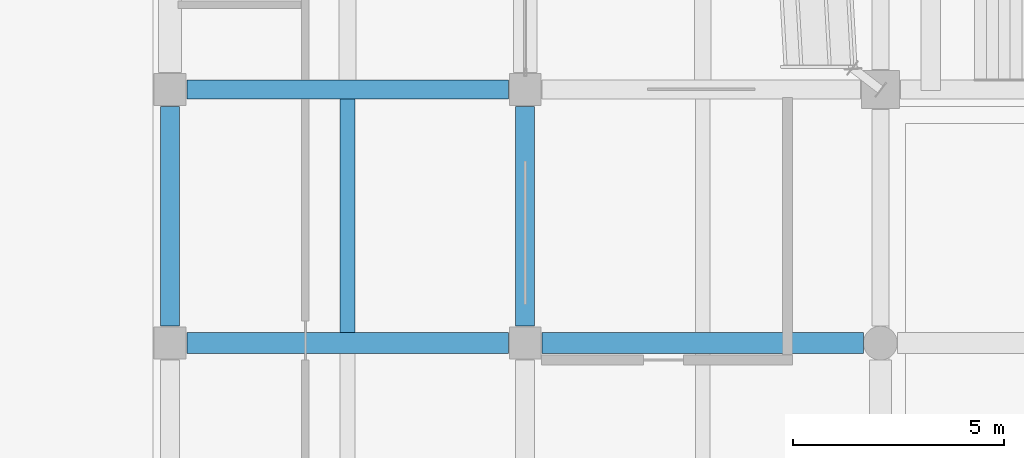
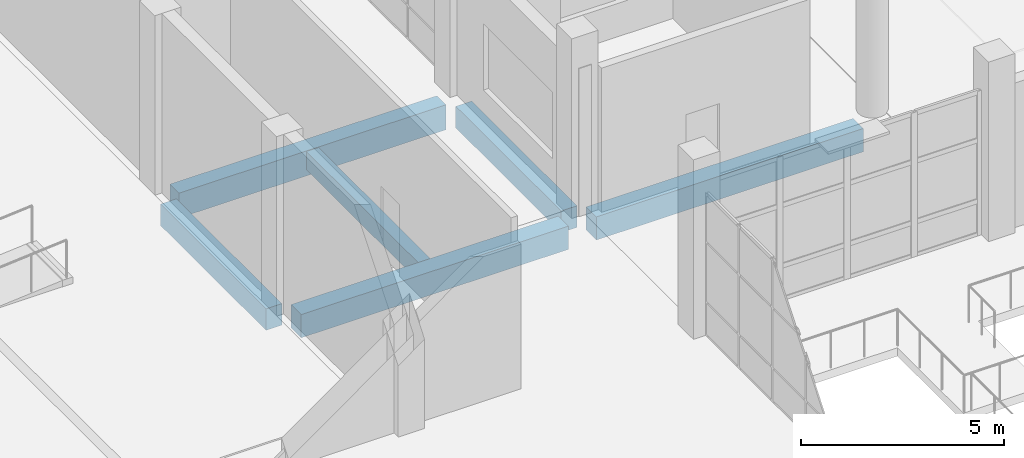
# One storey, part 12 of 78: 6 beams.
"""IFC4 building model written with IfcOpenShell, lengths in metres."""

from ifc_helpers import new_model, si_unit, direction, frame, origin, origin_2d, place, context, subcontext, project, spatial, rectangle, extrude, material, material_profile, profile_set, type_object, element, save


model = new_model("IFC4")

# Units and contexts
model_context = context("Model", 3, precision=1e-05, world=origin(), true_north=direction((0.0, 1.0)))
body_context = subcontext(model_context, "Body", "Model", "MODEL_VIEW")
ifc_project = project(units=[si_unit("LENGTHUNIT", "METRE"), si_unit("AREAUNIT", "SQUARE_METRE"), si_unit("VOLUMEUNIT", "CUBIC_METRE"), si_unit("PLANEANGLEUNIT", "RADIAN"), si_unit("MASSUNIT", "GRAM", prefix="KILO")], contexts=[model_context])

# Site, building, storey
site_placement = place(None, origin())
site = spatial("IfcSite", under=ifc_project, at=site_placement, CompositionType="ELEMENT")
building_placement = place(site_placement, origin())
building = spatial("IfcBuilding", under=site, at=building_placement, Name="Pellamere Symphony Hall", CompositionType="ELEMENT")
storey_placement = place(building_placement, origin())
storey = spatial("IfcBuildingStorey", under=building, at=storey_placement, Name="L00", CompositionType="ELEMENT", Elevation=0.0)

# Beams
ifc_material_1 = material(Name="Concrete 40 MPa", Category="concrete")
ifc_material_profile_1 = material_profile(ifc_material_1, rectangle(XDim=0.5, YDim=0.699951171875, at=origin_2d()), Name="RC 500x700")
ifc_profile_set_1 = profile_set([ifc_material_profile_1], Name="Concrete 40 MPa")
beam_type_1 = type_object("IfcBeamType", Name="RC CB-07 500x700", PredefinedType="BEAM", material=ifc_profile_set_1)
for number, where, z_axis, x_axis, name in (
    (1, (34.0, 24.0, -0.64990234375), (1.0, 0.0, 0.0), (0.0, 1.0, 0.0), "Girder CB-07-X0033 (L00)"),
    (2, (42.39990234375, 24.0, -0.64990234375), (1.0, 0.0, 0.0), (0.0, 1.0, 0.0), "Girder CB-07-X0034 (L00)"),
):
    element("IfcBeam", number, at=place(storey_placement, frame(where, z_axis=z_axis, x_axis=x_axis)), inside=storey, type_object=beam_type_1, Name=name, PredefinedType="BEAM", context=body_context, shape_type="SweptSolid", body=[
        extrude(rectangle(XDim=0.5, YDim=0.699951171875, at=origin_2d()), origin(), (0.0, 0.0, 1.0), 7.60009765625),
    ])
ifc_material_profile_2 = material_profile(ifc_material_1, rectangle(XDim=0.449951171875, YDim=0.64990234375, at=origin_2d()), Name="RC 450x650")
ifc_profile_set_2 = profile_set([ifc_material_profile_2], Name="Concrete 40 MPa")
beam_type_2 = type_object("IfcBeamType", Name="RC CB-08 450x650", PredefinedType="BEAM", material=ifc_profile_set_2)
for number, where, z_axis, x_axis, name in (
    (3, (33.60009765625, 24.39990234375, -0.625), (0.0, 1.0, 0.0), (-1.0, 0.0, 0.0), "Girder CB-08-Y0222 (L00)"),
    (4, (42.0, 24.39990234375, -0.625), (0.0, 1.0, 0.0), (-1.0, 0.0, 0.0), "Girder CB-08-Y0229 (L00)"),
):
    element("IfcBeam", number, at=place(storey_placement, frame(where, z_axis=z_axis, x_axis=x_axis)), inside=storey, type_object=beam_type_2, Name=name, PredefinedType="BEAM", context=body_context, shape_type="SweptSolid", body=[
        extrude(rectangle(XDim=0.449951171875, YDim=0.64990234375, at=origin_2d()), origin(), (0.0, 0.0, 1.0), 5.2001953125),
    ])
ifc_material_2 = material(Name="Concrete 35 MPa", Category="concrete")
ifc_material_profile_3 = material_profile(ifc_material_2, rectangle(XDim=0.35009765625, YDim=0.550048828125, at=origin_2d()), Name="RC 350x550")
ifc_profile_set_3 = profile_set([ifc_material_profile_3], Name="Concrete 35 MPa")
beam_type_3 = type_object("IfcBeamType", Name="RC CB-10 350x550", PredefinedType="BEAM", material=ifc_profile_set_3)
beam_1_placement = place(storey_placement, frame((37.800048828125, 24.25, -0.590087890625), z_axis=(0.0, 1.0, 0.0), x_axis=(-1.0, 0.0, 0.0)))
element("IfcBeam", 5, at=beam_1_placement, inside=storey, type_object=beam_type_3, Name="Secondary Floor Beam CB-10-M0403 (L00)", PredefinedType="BEAM", context=body_context, shape_type="SweptSolid", body=[
    extrude(rectangle(XDim=0.35009765625, YDim=0.550048828125, at=origin_2d()), origin(), (0.0, 0.0, 1.0), 5.52490234375),
])
ifc_material_profile_4 = material_profile(ifc_material_1, rectangle(XDim=0.449951171875, YDim=0.75, at=origin_2d()), Name="RC 450x750")
ifc_profile_set_4 = profile_set([ifc_material_profile_4], Name="Concrete 40 MPa")
beam_type_4 = type_object("IfcBeamType", Name="RC CB-12 450x750", PredefinedType="SPANDREL", material=ifc_profile_set_4)
beam_2_placement = place(storey_placement, frame((34.0, 30.0, -0.675048828125), z_axis=(1.0, 0.0, 0.0), x_axis=(0.0, 1.0, 0.0)))
element("IfcBeam", 6, at=beam_2_placement, inside=storey, type_object=beam_type_4, Name="Girder CB-12-X0051 (L00)", PredefinedType="SPANDREL", context=body_context, shape_type="SweptSolid", body=[
    extrude(rectangle(XDim=0.449951171875, YDim=0.75, at=origin_2d()), origin(), (0.0, 0.0, 1.0), 7.60009765625),
])

save(model, "model.ifc")
